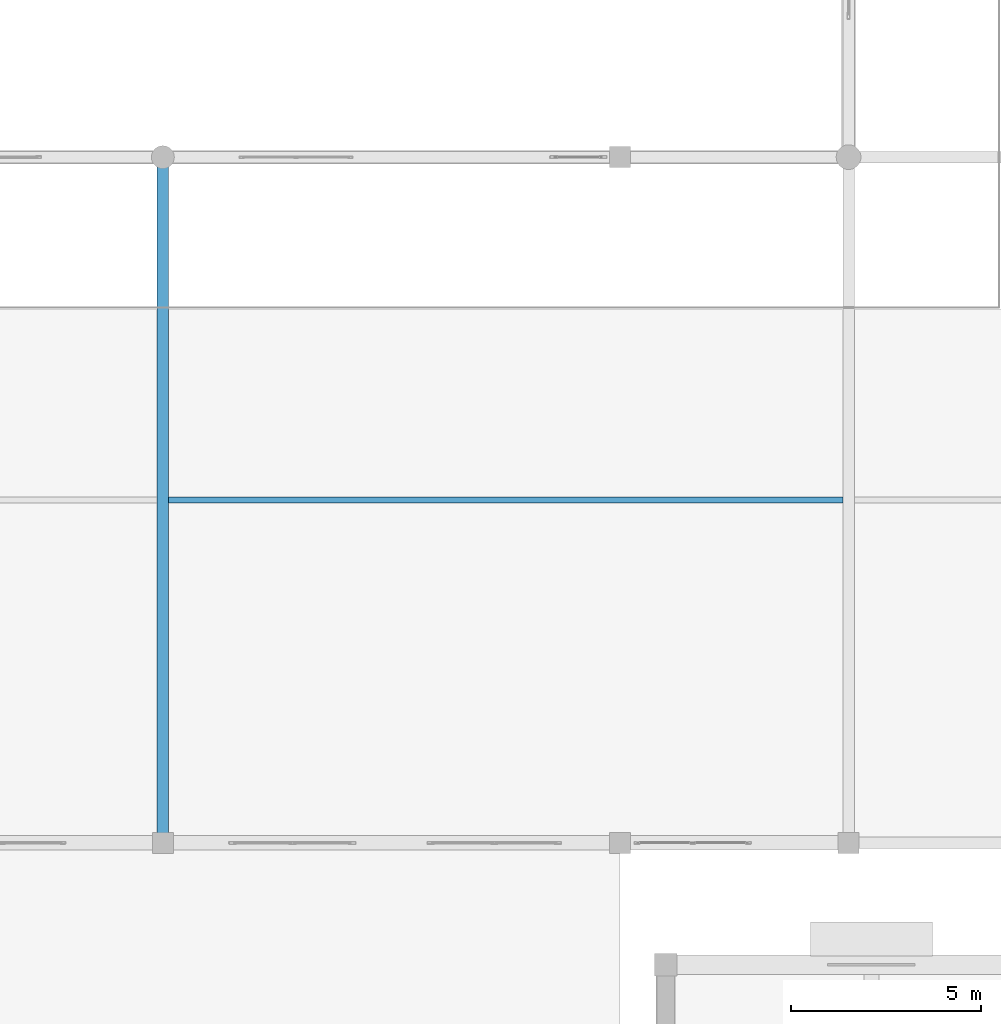
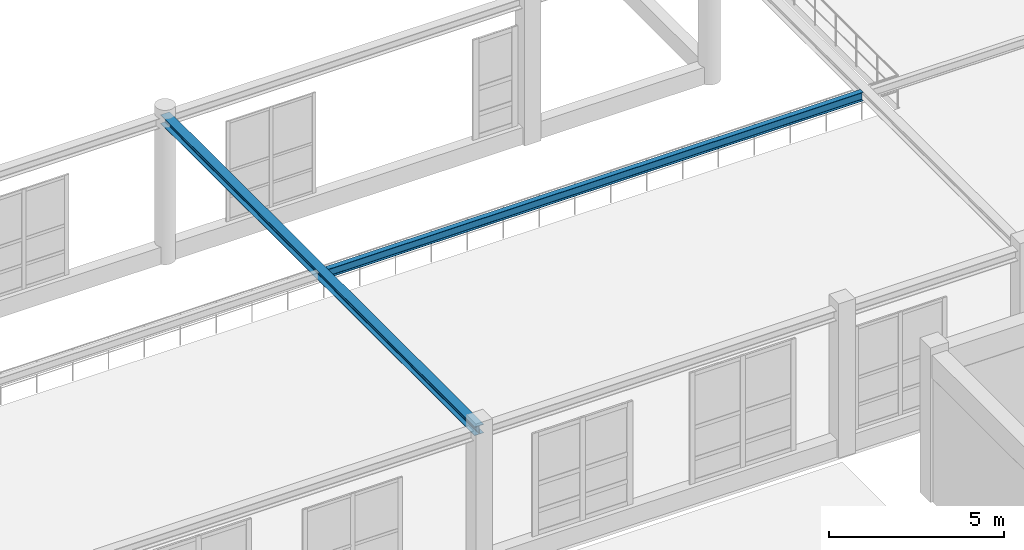
# One storey, part 60 of 197: 2 beams.
"""IFC4 building model written with IfcOpenShell, lengths in metres."""

from ifc_helpers import new_model, si_unit, derived_unit, direction, frame, origin, origin_2d, place, context, subcontext, project, spatial, i_section, extrude, material, material_profile, profile_set, type_object, element, save


model = new_model("IFC4")

# Units and contexts
model_context = context("Model", 3, precision=1e-05, world=origin(), true_north=direction((0.0, 1.0)))
body_context = subcontext(model_context, "Body", "Model", "MODEL_VIEW")
ifc_project = project(units=[si_unit("LENGTHUNIT", "METRE"), si_unit("AREAUNIT", "SQUARE_METRE"), si_unit("VOLUMEUNIT", "CUBIC_METRE"), si_unit("PLANEANGLEUNIT", "RADIAN"), si_unit("MASSUNIT", "GRAM", prefix="KILO"), derived_unit("THERMALTRANSMITTANCEUNIT", [(si_unit("POWERUNIT", "WATT"), 1), (si_unit("LENGTHUNIT", "METRE"), -2), (si_unit("THERMODYNAMICTEMPERATUREUNIT", "KELVIN"), -1)])], contexts=[model_context])

# Site, building, storey
site_placement = place(None, origin())
site = spatial("IfcSite", under=ifc_project, at=site_placement, CompositionType="ELEMENT")
building_placement = place(site_placement, origin())
building = spatial("IfcBuilding", under=site, at=building_placement, Name="Almenara Railside Exhibition Hall", CompositionType="ELEMENT")
storey_placement = place(building_placement, frame((0.0, 0.0, 5.39990234375)))
storey = spatial("IfcBuildingStorey", under=building, at=storey_placement, Name="L01", CompositionType="ELEMENT", Elevation=5.39990234375)

# Beams
ifc_material = material(Name="Structural steel S355JR", Category="steel")
ifc_material_profile_1 = material_profile(ifc_material, i_section(OverallWidth=0.300048828125, OverallDepth=0.31005859375, WebThickness=0.009033203125, FlangeThickness=0.015380859375, FilletRadius=0.027099609375, at=origin_2d()), Name="HEA 320")
ifc_profile_set_1 = profile_set([ifc_material_profile_1], Name="Structural steel S355JR")
beam_type_1 = type_object("IfcBeamType", Name="Steel Concourse Edge Beam HEA 320 S355JR", PredefinedType="BEAM", material=ifc_profile_set_1)
beam_1_placement = place(storey_placement, frame((102.0, 36.0, 4.93505859375), z_axis=(0.0, 1.0, 0.0), x_axis=(-1.0, 0.0, 0.0)))
element("IfcBeam", 1, at=beam_1_placement, inside=storey, type_object=beam_type_1, Name="Beam 0816", PredefinedType="BEAM", context=body_context, shape_type="SweptSolid", body=[
    extrude(i_section(OverallWidth=0.300048828125, OverallDepth=0.31005859375, WebThickness=0.009033203125, FlangeThickness=0.015380859375, FilletRadius=0.027099609375, at=origin_2d()), origin(), (0.0, 0.0, 1.0), 18.0),
])
ifc_material_profile_2 = material_profile(ifc_material, i_section(OverallWidth=0.165771484375, OverallDepth=0.306640625, WebThickness=0.006591796875, FlangeThickness=0.01171875, FilletRadius=0.0087890625, at=origin_2d()), Name="UB 305x165x46")
ifc_profile_set_2 = profile_set([ifc_material_profile_2], Name="Structural steel S355JR")
beam_type_2 = type_object("IfcBeamType", Name="Steel Walkway Joist UB 305x165x46 S355JR", PredefinedType="JOIST", material=ifc_profile_set_2)
beam_2_placement = place(storey_placement, frame((102.14990234375, 45.0, 4.932861328125), z_axis=(1.0, 0.0, 0.0), x_axis=(0.0, 1.0, 0.0)))
element("IfcBeam", 2, at=beam_2_placement, inside=storey, type_object=beam_type_2, Name="Beam 0784", PredefinedType="JOIST", context=body_context, shape_type="SweptSolid", body=[
    extrude(i_section(OverallWidth=0.165771484375, OverallDepth=0.306640625, WebThickness=0.006591796875, FlangeThickness=0.01171875, FilletRadius=0.0087890625, at=origin_2d()), origin(), (0.0, 0.0, 1.0), 17.7001953125),
])

save(model, "model.ifc")
